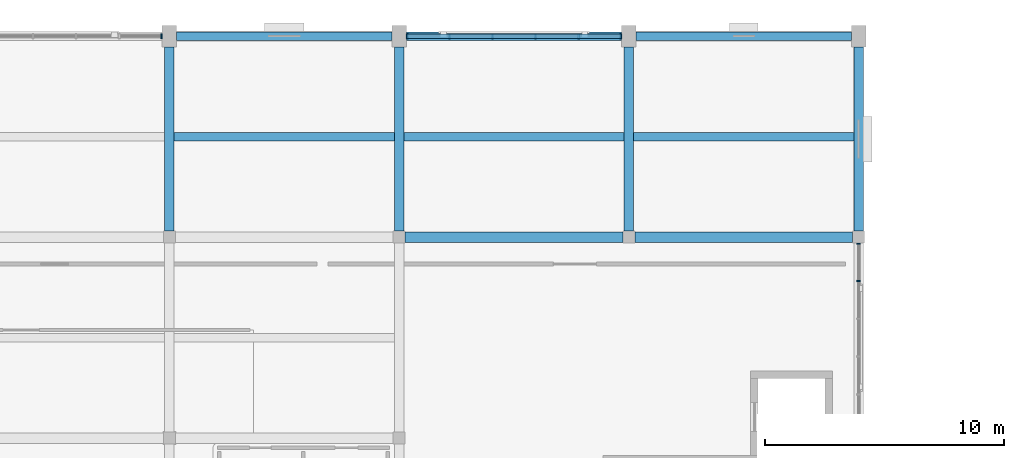
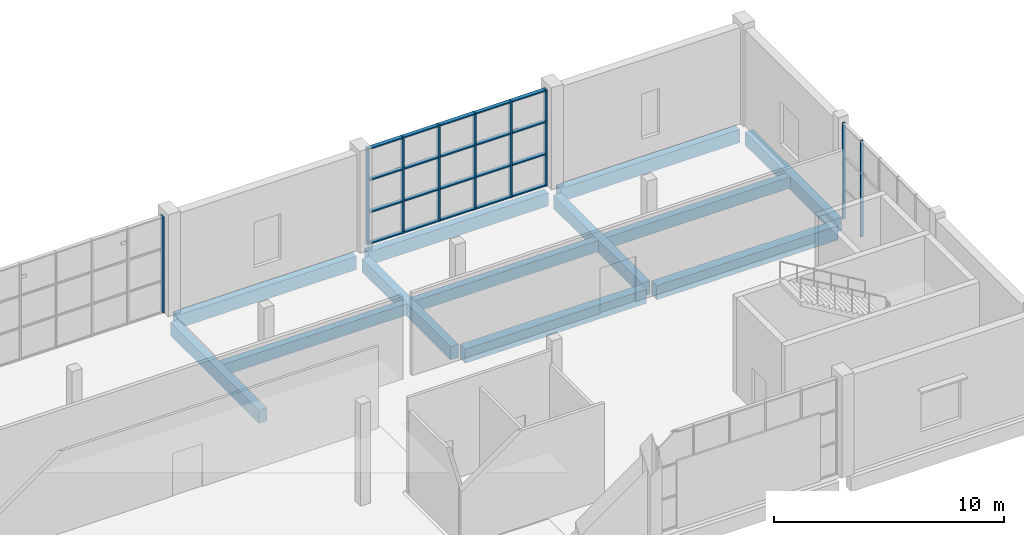
# One storey, part 26 of 72: 13 members, 12 beams, 3 elements without a shape of their own.
"""IFC4 building model written with IfcOpenShell, lengths in metres."""

from ifc_helpers import new_model, si_unit, direction, frame, origin, origin_2d, place, context, subcontext, project, spatial, rectangle, extrude, material, material_profile, profile_set, type_object, element, aggregate, save


model = new_model("IFC4")

# Units and contexts
model_context = context("Model", 3, precision=1e-05, world=origin(), true_north=direction((0.0, 1.0)))
body_context = subcontext(model_context, "Body", "Model", "MODEL_VIEW")
ifc_project = project(units=[si_unit("LENGTHUNIT", "METRE"), si_unit("AREAUNIT", "SQUARE_METRE"), si_unit("VOLUMEUNIT", "CUBIC_METRE"), si_unit("PLANEANGLEUNIT", "RADIAN"), si_unit("MASSUNIT", "GRAM", prefix="KILO")], contexts=[model_context])

# Site, building, storey
site_placement = place(None, origin())
site = spatial("IfcSite", under=ifc_project, at=site_placement, CompositionType="ELEMENT")
building_placement = place(site_placement, origin())
building = spatial("IfcBuilding", under=site, at=building_placement, Name="Shalvenor Court Art Gallery", CompositionType="ELEMENT")
storey_placement = place(building_placement, frame((0.0, 0.0, 11.39990234375)))
storey = spatial("IfcBuildingStorey", under=building, at=storey_placement, Name="L02", CompositionType="ELEMENT", Elevation=11.39990234375)

# Beams
ifc_material_1 = material(Name="Concrete C40/50", Category="concrete")
ifc_material_profile_1 = material_profile(ifc_material_1, rectangle(XDim=0.449951171875, YDim=0.75, at=origin_2d()), Name="RC 450x750")
ifc_profile_set_1 = profile_set([ifc_material_profile_1], Name="Concrete C40/50")
beam_type_1 = type_object("IfcBeamType", Name="B-04", PredefinedType="BEAM", material=ifc_profile_set_1)
beam_1_placement = place(storey_placement, frame((105.85009765625, 114.0, -0.69482421875), z_axis=(1.0, 0.0, 0.0), x_axis=(0.0, 1.0, 0.0)))
element("IfcBeam", 1, at=beam_1_placement, inside=storey, type_object=beam_type_1, Name="L02 Girder BM-L02-B-04-0900", PredefinedType="BEAM", context=body_context, shape_type="SweptSolid", body=[
    extrude(rectangle(XDim=0.449951171875, YDim=0.75, at=origin_2d()), origin(), (0.0, 0.0, 1.0), 9.099853515625),
])
beam_2_placement = place(storey_placement, frame((115.449951171875, 114.0, -0.69482421875), z_axis=(1.0, 0.0, 0.0), x_axis=(0.0, 1.0, 0.0)))
element("IfcBeam", 2, at=beam_2_placement, inside=storey, type_object=beam_type_1, Name="L02 Girder BM-L02-B-04-0901", PredefinedType="BEAM", context=body_context, shape_type="SweptSolid", body=[
    extrude(rectangle(XDim=0.449951171875, YDim=0.75, at=origin_2d()), origin(), (0.0, 0.0, 1.0), 9.10009765625),
])
ifc_material_2 = material(Name="Concrete C40/50", Category="concrete")
ifc_material_profile_2 = material_profile(ifc_material_2, rectangle(XDim=0.39990234375, YDim=0.699951171875, at=origin_2d()), Name="RC 400x700")
ifc_profile_set_2 = profile_set([ifc_material_profile_2], Name="Concrete C40/50")
beam_type_2 = type_object("IfcBeamType", Name="B-05", PredefinedType="BEAM", material=ifc_profile_set_2)
for number, where, z_axis, x_axis, name in (
    (3, (96.0, 114.25, -0.669921875), (0.0, 1.0, 0.0), (-1.0, 0.0, 0.0), "L02 Girder BM-L02-B-05-0749"),
    (4, (105.60009765625, 114.25, -0.669921875), (0.0, 1.0, 0.0), (-1.0, 0.0, 0.0), "L02 Girder BM-L02-B-05-0757"),
    (5, (115.199951171875, 114.25, -0.669921875), (0.0, 1.0, 0.0), (-1.0, 0.0, 0.0), "L02 Girder BM-L02-B-05-0761"),
    (6, (124.800048828125, 114.25, -0.669921875), (0.0, 1.0, 0.0), (-1.0, 0.0, 0.0), "L02 Girder BM-L02-B-05-0769"),
):
    element("IfcBeam", number, at=place(storey_placement, frame(where, z_axis=z_axis, x_axis=x_axis)), inside=storey, type_object=beam_type_2, Name=name, PredefinedType="BEAM", context=body_context, shape_type="SweptSolid", body=[
        extrude(rectangle(XDim=0.39990234375, YDim=0.699951171875, at=origin_2d()), origin(), (0.0, 0.0, 1.0), 7.699951171875),
    ])

# Curtain wall, member
ifc_material_3 = material(Name="Anodised aluminium and low-iron glass curtain wall", Category="aluminium")
curtain_wall_type_1 = type_object("IfcCurtainWallType", Name="CW-5x3-90-51-222", PredefinedType="USERDEFINED", material=ifc_material_3)
curtain_wall_1_placement = place(storey_placement, origin())
curtain_wall_1 = element("IfcCurtainWall", 7, at=curtain_wall_1_placement, inside=storey, type_object=curtain_wall_type_1, Name="L02 V2 Curtain Wall CW-L02-073", ObjectType="CURTAIN WALL", PredefinedType="USERDEFINED")
ifc_material_4 = material(Name="Anodised aluminium mullion", Category="aluminium")
ifc_material_profile_3 = material_profile(ifc_material_4, rectangle(XDim=0.070068359375, YDim=0.199951171875, at=origin_2d()), Name="CWM-02")
ifc_profile_set_3 = profile_set([ifc_material_profile_3], Name="Anodised aluminium mullion")
member_type_1 = type_object("IfcMemberType", Name="CWM-02", PredefinedType="MULLION", material=ifc_profile_set_3)
member_1_placement = place(storey_placement, frame((95.6650390625, 122.39990234375, 0.0), z_axis=(0.0, 0.0, 1.0), x_axis=(1.0, 0.0, 0.0)))
member_1 = element("IfcMember", 8, at=member_1_placement, type_object=member_type_1, Name="CW-5x3-90-51-222 mullion 6", PredefinedType="MULLION", context=body_context, shape_type="SweptSolid", body=[
    extrude(rectangle(XDim=0.070068359375, YDim=0.199951171875, at=origin_2d()), origin(), (0.0, 0.0, 1.0), 5.10009765625),
])
aggregate(curtain_wall_1, [member_1])

# Curtain wall, members
ifc_material_5 = material(Name="Anodised aluminium and low-iron glass curtain wall", Category="aluminium")
curtain_wall_type_2 = type_object("IfcCurtainWallType", Name="CW-5x3-90-51-442", PredefinedType="USERDEFINED", material=ifc_material_5)
curtain_wall_2_placement = place(storey_placement, origin())
curtain_wall_2 = element("IfcCurtainWall", 9, at=curtain_wall_2_placement, inside=storey, type_object=curtain_wall_type_2, Name="L02 V2 Curtain Wall CW-L02-074", ObjectType="CURTAIN WALL", PredefinedType="USERDEFINED")
ifc_material_6 = material(Name="Anodised aluminium mullion", Category="aluminium")
ifc_material_profile_4 = material_profile(ifc_material_6, rectangle(XDim=0.074951171875, YDim=0.219970703125, at=origin_2d()), Name="CWM-04")
ifc_profile_set_4 = profile_set([ifc_material_profile_4], Name="Anodised aluminium mullion")
member_type_2 = type_object("IfcMemberType", Name="CWM-04", PredefinedType="MULLION", material=ifc_profile_set_4)
member_2_placement = place(storey_placement, frame((105.9375, 122.39990234375, 0.0), z_axis=(0.0, 0.0, 1.0), x_axis=(1.0, 0.0, 0.0)))
member_2 = element("IfcMember", 10, at=member_2_placement, type_object=member_type_2, Name="CW-5x3-90-51-442 mullion 1", PredefinedType="MULLION", context=body_context, shape_type="SweptSolid", body=[
    extrude(rectangle(XDim=0.074951171875, YDim=0.219970703125, at=origin_2d()), origin(), (0.0, 0.0, 1.0), 5.10009765625),
])
member_3_placement = place(storey_placement, frame((107.699951171875, 122.39990234375, 0.0), z_axis=(0.0, 0.0, 1.0), x_axis=(1.0, 0.0, 0.0)))
member_3 = element("IfcMember", 11, at=member_3_placement, type_object=member_type_2, Name="CW-5x3-90-51-442 mullion 2", PredefinedType="MULLION", context=body_context, shape_type="SweptSolid", body=[
    extrude(rectangle(XDim=0.074951171875, YDim=0.219970703125, at=origin_2d()), origin(), (0.0, 0.0, 1.0), 5.10009765625),
])
member_4_placement = place(storey_placement, frame((109.5, 122.39990234375, 0.0), z_axis=(0.0, 0.0, 1.0), x_axis=(1.0, 0.0, 0.0)))
member_4 = element("IfcMember", 12, at=member_4_placement, type_object=member_type_2, Name="CW-5x3-90-51-442 mullion 3", PredefinedType="MULLION", context=body_context, shape_type="SweptSolid", body=[
    extrude(rectangle(XDim=0.074951171875, YDim=0.219970703125, at=origin_2d()), origin(), (0.0, 0.0, 1.0), 5.10009765625),
])
member_5_placement = place(storey_placement, frame((111.300048828125, 122.39990234375, 0.0), z_axis=(0.0, 0.0, 1.0), x_axis=(1.0, 0.0, 0.0)))
member_5 = element("IfcMember", 13, at=member_5_placement, type_object=member_type_2, Name="CW-5x3-90-51-442 mullion 4", PredefinedType="MULLION", context=body_context, shape_type="SweptSolid", body=[
    extrude(rectangle(XDim=0.074951171875, YDim=0.219970703125, at=origin_2d()), origin(), (0.0, 0.0, 1.0), 5.10009765625),
])
member_6_placement = place(storey_placement, frame((113.10009765625, 122.39990234375, 0.0), z_axis=(0.0, 0.0, 1.0), x_axis=(1.0, 0.0, 0.0)))
member_6 = element("IfcMember", 14, at=member_6_placement, type_object=member_type_2, Name="CW-5x3-90-51-442 mullion 5", PredefinedType="MULLION", context=body_context, shape_type="SweptSolid", body=[
    extrude(rectangle(XDim=0.074951171875, YDim=0.219970703125, at=origin_2d()), origin(), (0.0, 0.0, 1.0), 5.10009765625),
])
member_7_placement = place(storey_placement, frame((114.862548828125, 122.39990234375, 0.0), z_axis=(0.0, 0.0, 1.0), x_axis=(1.0, 0.0, 0.0)))
member_7 = element("IfcMember", 15, at=member_7_placement, type_object=member_type_2, Name="CW-5x3-90-51-442 mullion 6", PredefinedType="MULLION", context=body_context, shape_type="SweptSolid", body=[
    extrude(rectangle(XDim=0.074951171875, YDim=0.219970703125, at=origin_2d()), origin(), (0.0, 0.0, 1.0), 5.10009765625),
])

ifc_material_7 = material(Name="Anodised aluminium and low-iron glass curtain wall", Category="aluminium")
curtain_wall_type_3 = type_object("IfcCurtainWallType", Name="CW-5x3-79-51-612", PredefinedType="USERDEFINED", material=ifc_material_7)
curtain_wall_3_placement = place(storey_placement, origin())
curtain_wall_3 = element("IfcCurtainWall", 16, at=curtain_wall_3_placement, inside=storey, type_object=curtain_wall_type_3, Name="L02 V2 Curtain Wall CW-L02-075", ObjectType="CURTAIN WALL", PredefinedType="USERDEFINED")
ifc_material_8 = material(Name="Anodised aluminium mullion", Category="aluminium")
ifc_material_profile_5 = material_profile(ifc_material_8, rectangle(XDim=0.054931640625, YDim=0.139892578125, at=origin_2d()), Name="CWM-06")
ifc_profile_set_5 = profile_set([ifc_material_profile_5], Name="Anodised aluminium mullion")
member_type_3 = type_object("IfcMemberType", Name="CWM-06", PredefinedType="MULLION", material=ifc_profile_set_5)
member_8_placement = place(storey_placement, frame((124.800048828125, 113.722412109375, 0.0), z_axis=(0.0, 0.0, 1.0), x_axis=(0.0, -1.0, 0.0)))
member_8 = element("IfcMember", 17, at=member_8_placement, type_object=member_type_3, Name="CW-5x3-79-51-612 mullion 1", PredefinedType="MULLION", context=body_context, shape_type="SweptSolid", body=[
    extrude(rectangle(XDim=0.054931640625, YDim=0.139892578125, at=origin_2d()), origin(), (0.0, 0.0, 1.0), 5.10009765625),
])
member_9_placement = place(storey_placement, frame((124.800048828125, 112.169921875, 0.0), z_axis=(0.0, 0.0, 1.0), x_axis=(0.0, -1.0, 0.0)))
member_9 = element("IfcMember", 18, at=member_9_placement, type_object=member_type_3, Name="CW-5x3-79-51-612 mullion 2", PredefinedType="MULLION", context=body_context, shape_type="SweptSolid", body=[
    extrude(rectangle(XDim=0.054931640625, YDim=0.139892578125, at=origin_2d()), origin(), (0.0, 0.0, 1.0), 5.10009765625),
])
aggregate(curtain_wall_3, [member_8, member_9])

# Member
ifc_material_9 = material(Name="Anodised aluminium transom", Category="aluminium")
ifc_material_profile_6 = material_profile(ifc_material_9, rectangle(XDim=0.18994140625, YDim=0.070068359375, at=origin_2d()), Name="CWT-04")
ifc_profile_set_6 = profile_set([ifc_material_profile_6], Name="Anodised aluminium transom")
member_type_4 = type_object("IfcMemberType", Name="CWT-04", PredefinedType="USERDEFINED", material=ifc_profile_set_6)
member_10_placement = place(storey_placement, frame((105.9375, 122.39990234375, 0.03515625), z_axis=(1.0, 0.0, 0.0), x_axis=(0.0, 1.0, 0.0)))
member_10 = element("IfcMember", 19, at=member_10_placement, type_object=member_type_4, Name="CW-5x3-90-51-442 transom 1", ObjectType="TRANSOM", PredefinedType="USERDEFINED", context=body_context, shape_type="SweptSolid", body=[
    extrude(rectangle(XDim=0.18994140625, YDim=0.070068359375, at=origin_2d()), origin(), (0.0, 0.0, 1.0), 8.925048828125),
])

member_11_placement = place(storey_placement, frame((105.9375, 122.39990234375, 1.7001953125), z_axis=(1.0, 0.0, 0.0), x_axis=(0.0, 1.0, 0.0)))
member_11 = element("IfcMember", 20, at=member_11_placement, type_object=member_type_4, Name="CW-5x3-90-51-442 transom 2", ObjectType="TRANSOM", PredefinedType="USERDEFINED", context=body_context, shape_type="SweptSolid", body=[
    extrude(rectangle(XDim=0.18994140625, YDim=0.070068359375, at=origin_2d()), origin(), (0.0, 0.0, 1.0), 8.925048828125),
])

member_12_placement = place(storey_placement, frame((105.9375, 122.39990234375, 3.400146484375), z_axis=(1.0, 0.0, 0.0), x_axis=(0.0, 1.0, 0.0)))
member_12 = element("IfcMember", 21, at=member_12_placement, type_object=member_type_4, Name="CW-5x3-90-51-442 transom 3", ObjectType="TRANSOM", PredefinedType="USERDEFINED", context=body_context, shape_type="SweptSolid", body=[
    extrude(rectangle(XDim=0.18994140625, YDim=0.070068359375, at=origin_2d()), origin(), (0.0, 0.0, 1.0), 8.925048828125),
])

member_13_placement = place(storey_placement, frame((105.9375, 122.39990234375, 5.065185546875), z_axis=(1.0, 0.0, 0.0), x_axis=(0.0, 1.0, 0.0)))
member_13 = element("IfcMember", 22, at=member_13_placement, type_object=member_type_4, Name="CW-5x3-90-51-442 transom 4", ObjectType="TRANSOM", PredefinedType="USERDEFINED", context=body_context, shape_type="SweptSolid", body=[
    extrude(rectangle(XDim=0.18994140625, YDim=0.070068359375, at=origin_2d()), origin(), (0.0, 0.0, 1.0), 8.925048828125),
])

aggregate(curtain_wall_2, [member_2, member_3, member_4, member_5, member_6, member_7, member_10, member_11, member_12, member_13])

# Beams
ifc_material_10 = material(Name="Concrete C40/50", Category="concrete")
ifc_material_profile_7 = material_profile(ifc_material_10, rectangle(XDim=0.35009765625, YDim=0.60009765625, at=origin_2d()), Name="RC 350x600")
ifc_profile_set_7 = profile_set([ifc_material_profile_7], Name="Concrete C40/50")
beam_type_3 = type_object("IfcBeamType", Name="J-01", PredefinedType="JOIST", material=ifc_profile_set_7)
for number, where, z_axis, x_axis, name in (
    (23, (96.199951171875, 118.199951171875, -0.619873046875), (1.0, 0.0, 0.0), (0.0, 1.0, 0.0), "L02 Secondary Beam JST-L02-J-01-0943"),
    (24, (105.800048828125, 118.199951171875, -0.619873046875), (1.0, 0.0, 0.0), (0.0, 1.0, 0.0), "L02 Secondary Beam JST-L02-J-01-0946"),
):
    element("IfcBeam", number, at=place(storey_placement, frame(where, z_axis=z_axis, x_axis=x_axis)), inside=storey, type_object=beam_type_3, Name=name, PredefinedType="JOIST", context=body_context, shape_type="SweptSolid", body=[
        extrude(rectangle(XDim=0.35009765625, YDim=0.60009765625, at=origin_2d()), origin(), (0.0, 0.0, 1.0), 9.199951171875),
    ])
beam_3_placement = place(storey_placement, frame((115.39990234375, 118.199951171875, -0.619873046875), z_axis=(1.0, 0.0, 0.0), x_axis=(0.0, 1.0, 0.0)))
element("IfcBeam", 25, at=beam_3_placement, inside=storey, type_object=beam_type_3, Name="L02 Secondary Beam JST-L02-J-01-0949", PredefinedType="JOIST", context=body_context, shape_type="SweptSolid", body=[
    extrude(rectangle(XDim=0.35009765625, YDim=0.60009765625, at=origin_2d()), origin(), (0.0, 0.0, 1.0), 9.2001953125),
])
ifc_material_11 = material(Name="Concrete C40/50", Category="concrete")
ifc_material_profile_8 = material_profile(ifc_material_11, rectangle(XDim=0.35009765625, YDim=0.699951171875, at=origin_2d()), Name="RC 350x700")
ifc_profile_set_8 = profile_set([ifc_material_profile_8], Name="Concrete C40/50")
beam_type_4 = type_object("IfcBeamType", Name="SP-01", PredefinedType="SPANDREL", material=ifc_profile_set_8)
for number, where, z_axis, x_axis, name in (
    (26, (96.300048828125, 122.39990234375, -0.669921875), (1.0, 0.0, 0.0), (0.0, 1.0, 0.0), "L02 Spandrel Girder BM-L02-SP-01-0910"),
    (27, (105.89990234375, 122.39990234375, -0.669921875), (1.0, 0.0, 0.0), (0.0, 1.0, 0.0), "L02 Spandrel Girder BM-L02-SP-01-0911"),
    (28, (115.5, 122.39990234375, -0.669921875), (1.0, 0.0, 0.0), (0.0, 1.0, 0.0), "L02 Spandrel Girder BM-L02-SP-01-0912"),
):
    element("IfcBeam", number, at=place(storey_placement, frame(where, z_axis=z_axis, x_axis=x_axis)), inside=storey, type_object=beam_type_4, Name=name, PredefinedType="SPANDREL", context=body_context, shape_type="SweptSolid", body=[
        extrude(rectangle(XDim=0.35009765625, YDim=0.699951171875, at=origin_2d()), origin(), (0.0, 0.0, 1.0), 9.0),
    ])

save(model, "model.ifc")
